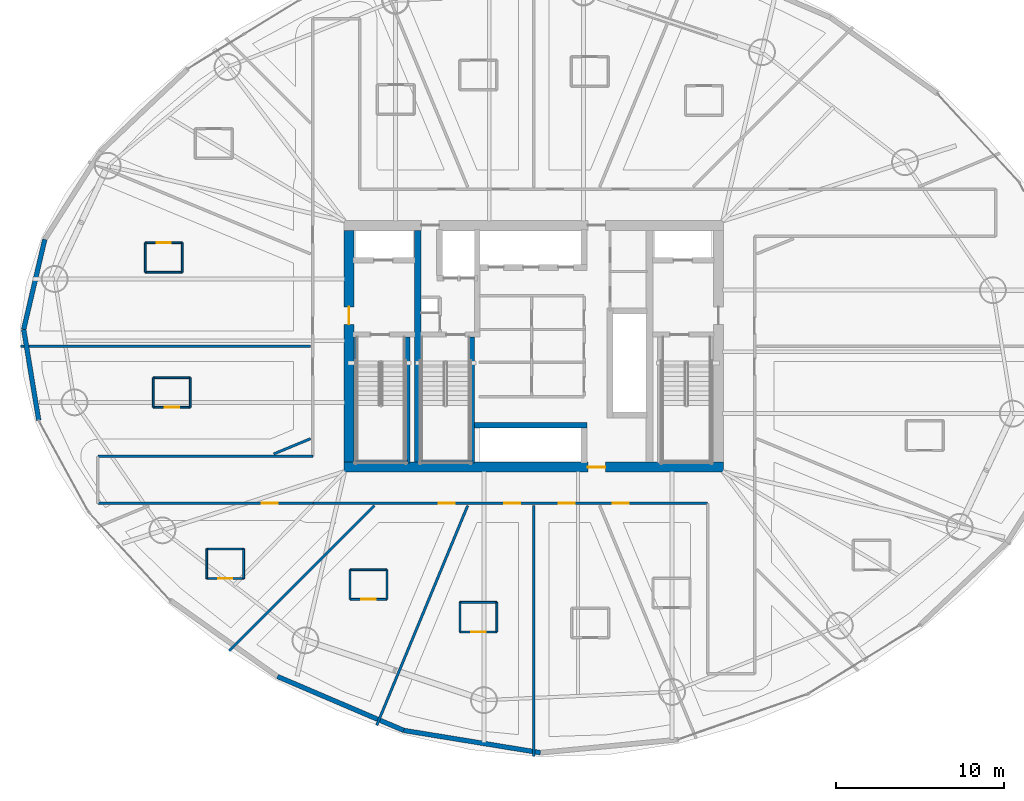
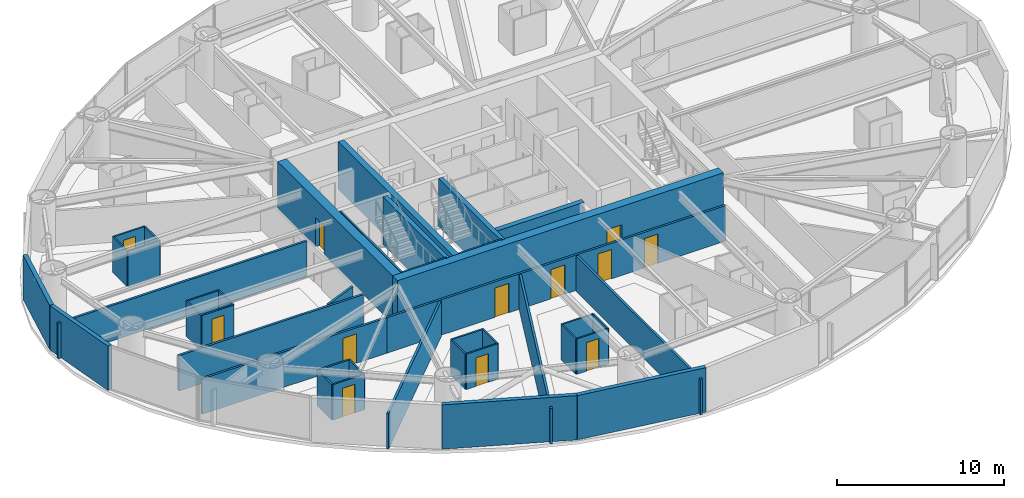
# One storey, part 18 of 27: 41 walls, 12 doors, 12 openings.
"""IFC4 building model written with IfcOpenShell, lengths in metres."""

from ifc_helpers import new_model, si_unit, direction, frame, frame_2d, origin, place, context, subcontext, project, spatial, rectangle, extrude, material, layer, layer_set, type_object, element, fill, save


model = new_model("IFC4")

# Units and contexts
model_context = context("Model", 3, precision=1e-05, world=origin(), true_north=direction((0.0, 1.0)))
body_context = subcontext(model_context, "Body", "Model", "MODEL_VIEW")
ifc_project = project(units=[si_unit("LENGTHUNIT", "METRE"), si_unit("AREAUNIT", "SQUARE_METRE"), si_unit("VOLUMEUNIT", "CUBIC_METRE"), si_unit("PLANEANGLEUNIT", "RADIAN"), si_unit("MASSUNIT", "GRAM", prefix="KILO")], contexts=[model_context])

# Site, building, storey
site_placement = place(None, origin())
site = spatial("IfcSite", under=ifc_project, at=site_placement, CompositionType="ELEMENT")
building_placement = place(site_placement, origin())
building = spatial("IfcBuilding", under=site, at=building_placement, Name="Bramvorn Convention Spire", CompositionType="ELEMENT")
storey_placement = place(building_placement, frame((0.0, 0.0, 44.89990234375)))
storey = spatial("IfcBuildingStorey", under=building, at=storey_placement, Name="L08", CompositionType="ELEMENT", Elevation=44.89990234375)

# Wall, opening, door
ifc_material_1 = material(Name="Concrete C60/70", Category="concrete")
ifc_layer_1 = layer(ifc_material_1, 0.60009765625)
ifc_layer_set_1 = layer_set([ifc_layer_1], Name="Concrete C60/70 - WL-CORE-600")
wall_type_1 = type_object("IfcWallType", Name="WL-CORE-600", PredefinedType="SHEAR", material=ifc_layer_set_1)
wall_1_placement = place(storey_placement, frame((26.699951171875, 18.800048828125, 0.0), z_axis=(0.0, 0.0, 1.0), x_axis=(1.0, 0.0, 0.0)))
wall_1 = element("IfcWall", 1, at=wall_1_placement, inside=storey, type_object=wall_type_1, Name="L08 South RC core shear wall", PredefinedType="SHEAR", context=body_context, shape_type="SweptSolid", body=[
    extrude(rectangle(XDim=22.60009765625, YDim=0.60009765625, at=frame_2d((11.300048828125, 0.0))), origin(), (0.0, 0.0, 1.0), 3.5),
])
opening_1_placement = place(wall_1_placement, frame((14.52001953125, 0.0, 0.0)))
opening_1 = element("IfcOpeningElement", 2, at=opening_1_placement, cuts=wall_1, Name="Opening DL-105", PredefinedType="OPENING", context=body_context, shape_type="SweptSolid", body=[
    extrude(rectangle(XDim=1.050048828125, YDim=2.14990234375, at=frame_2d((0.52490234375, 1.074951171875))), frame((0.0, 0.31005859375, 0.0), z_axis=(0.0, -1.0, 0.0), x_axis=(1.0, 0.0, 0.0)), (0.0, 0.0, 1.0), 0.6201171875),
])
ifc_material_2 = material(Name="Smoke-Sealed Fire Lobby Timber-Core Door", Category="wood")
door_type_1 = type_object("IfcDoorType", Name="DR-LOBBY-1050", OperationType="NOTDEFINED", PredefinedType="DOOR", material=ifc_material_2)
door_1_placement = place(opening_1_placement, origin())
door_1 = element("IfcDoor", 3, at=door_1_placement, inside=storey, type_object=door_type_1, Name="L08 South Lift Lobby fire door", OperationType="SINGLE_SWING_RIGHT", OverallHeight=2.14990234375, OverallWidth=1.050048828125, PredefinedType="DOOR", context=body_context, shape_type="SweptSolid", body=[
    extrude(rectangle(XDim=1.050048828125, YDim=2.14990234375, at=frame_2d((0.52490234375, 1.074951171875))), frame((0.0, 0.02490234375, 0.0), z_axis=(0.0, -1.0, 0.0), x_axis=(1.0, 0.0, 0.0)), (0.0, 0.0, 1.0), 0.050048828125),
])
fill(opening_1, door_1)

wall_2_placement = place(storey_placement, frame((27.0, 19.10009765625, 0.0), z_axis=(0.0, 0.0, 1.0), x_axis=(0.0, 1.0, 0.0)))
wall_2 = element("IfcWall", 4, at=wall_2_placement, inside=storey, type_object=wall_type_1, Name="L08 West RC core shear wall", PredefinedType="SHEAR", context=body_context, shape_type="SweptSolid", body=[
    extrude(rectangle(XDim=13.7998046875, YDim=0.60009765625, at=frame_2d((6.89990234375, 0.0))), origin(), (0.0, 0.0, 1.0), 3.5),
])
opening_2_placement = place(wall_2_placement, frame((8.199951171875, 0.0, 0.0)))
opening_2 = element("IfcOpeningElement", 5, at=opening_2_placement, cuts=wall_2, Name="Opening DL-105", PredefinedType="OPENING", context=body_context, shape_type="SweptSolid", body=[
    extrude(rectangle(XDim=1.050048828125, YDim=2.14990234375, at=frame_2d((0.52490234375, 1.074951171875))), frame((0.0, 0.31005859375, 0.0), z_axis=(0.0, -1.0, 0.0), x_axis=(1.0, 0.0, 0.0)), (0.0, 0.0, 1.0), 0.6201171875),
])
door_2_placement = place(opening_2_placement, origin())
door_2 = element("IfcDoor", 6, at=door_2_placement, inside=storey, type_object=door_type_1, Name="L08 West Firefighting Lobby corridor door", OperationType="SINGLE_SWING_RIGHT", OverallHeight=2.14990234375, OverallWidth=1.050048828125, PredefinedType="DOOR", context=body_context, shape_type="SweptSolid", body=[
    extrude(rectangle(XDim=1.050048828125, YDim=2.14990234375, at=frame_2d((0.52490234375, 1.074951171875))), frame((0.0, 0.02490234375, 0.0), z_axis=(0.0, -1.0, 0.0), x_axis=(1.0, 0.0, 0.0)), (0.0, 0.0, 1.0), 0.050048828125),
])
fill(opening_2, door_2)

# Walls
ifc_material_3 = material(Name="Concrete C50/60", Category="concrete")
ifc_layer_2 = layer(ifc_material_3, 0.35009765625)
ifc_layer_set_2 = layer_set([ifc_layer_2], Name="Concrete C50/60 - WL-CORE-INT-350")
wall_type_2 = type_object("IfcWallType", Name="WL-CORE-INT-350", PredefinedType="SHEAR", material=ifc_layer_set_2)
wall_3_placement = place(storey_placement, frame((34.489990234375, 21.300048828125, 0.0), z_axis=(0.0, 0.0, 1.0), x_axis=(1.0, 0.0, 0.0)))
element("IfcWall", 7, at=wall_3_placement, inside=storey, type_object=wall_type_2, Name="L08 Mid-rise bank north landing wall", PredefinedType="SHEAR", context=body_context, shape_type="SweptSolid", body=[
    extrude(rectangle(XDim=6.679931640625, YDim=0.35009765625, at=frame_2d((3.33984375, 0.0))), origin(), (0.0, 0.0, 1.0), 2.60009765625),
])
ifc_layer_3 = layer(ifc_material_1, 0.39990234375)
ifc_layer_set_3 = layer_set([ifc_layer_3], Name="Concrete C60/70 - WL-CORE-INT-400")
wall_type_3 = type_object("IfcWallType", Name="WL-CORE-INT-400", PredefinedType="SHEAR", material=ifc_layer_set_3)
wall_4_placement = place(storey_placement, frame((31.10009765625, 19.10009765625, 0.0), z_axis=(0.0, 0.0, 1.0), x_axis=(0.0, 1.0, 0.0)))
element("IfcWall", 8, at=wall_4_placement, inside=storey, type_object=wall_type_3, Name="L08 West internal core shear web", PredefinedType="SHEAR", context=body_context, shape_type="SweptSolid", body=[
    extrude(rectangle(XDim=13.7998046875, YDim=0.39990234375, at=frame_2d((6.89990234375, 0.0))), origin(), (0.0, 0.0, 1.0), 3.5),
])
ifc_material_4 = material(Name="Precast Concrete C40/50 with Bronze Terracotta Rainscreen", Category="masonry")
ifc_layer_4 = layer(ifc_material_4, 0.300048828125)
ifc_layer_set_4 = layer_set([ifc_layer_4], Name="Precast Concrete C40/50 with Bronze Terracotta Rainscreen - WL-EXT-BRONZE-300")
wall_type_4 = type_object("IfcWallType", Name="WL-EXT-BRONZE-300", PredefinedType="SOLIDWALL", material=ifc_layer_set_4)
wall_5_placement = place(storey_placement, frame((7.63671875, 27.00732421875, 0.0), z_axis=(0.0, 0.0, 1.0), x_axis=(0.228140672465, 0.973628180348, 0.0)))
element("IfcWall", 9, at=wall_5_placement, inside=storey, type_object=wall_type_4, Name="L08 expressed bronze Gothic lancet pier wall 12", PredefinedType="SOLIDWALL", context=body_context, shape_type="SweptSolid", body=[
    extrude(rectangle(XDim=5.497314453125, YDim=0.280029296875, at=frame_2d((2.74853515625, 0.0))), origin(), (0.0, 0.0, 1.0), 3.25),
])
wall_6_placement = place(storey_placement, frame((8.533447265625, 21.58349609375, 0.0), z_axis=(0.0, 0.0, 1.0), x_axis=(-0.163116967398, 0.986606737736, 0.0)))
element("IfcWall", 10, at=wall_6_placement, inside=storey, type_object=wall_type_4, Name="L08 expressed bronze Gothic lancet pier wall 13", PredefinedType="SOLIDWALL", context=body_context, shape_type="SweptSolid", body=[
    extrude(rectangle(XDim=5.49755859375, YDim=0.280029296875, at=frame_2d((2.748779296875, 0.0))), origin(), (0.0, 0.0, 1.0), 3.25),
])
wall_7_placement = place(storey_placement, frame((30.263916015625, 3.12890625, 0.0), z_axis=(0.0, 0.0, 1.0), x_axis=(-0.919648117611, 0.392743351026, 0.0)))
element("IfcWall", 11, at=wall_7_placement, inside=storey, type_object=wall_type_4, Name="L08 expressed bronze Gothic lancet pier wall 17", PredefinedType="SOLIDWALL", context=body_context, shape_type="SweptSolid", body=[
    extrude(rectangle(XDim=8.170654296875, YDim=0.280029296875, at=frame_2d((4.08544921875, 0.0))), origin(), (0.0, 0.0, 1.0), 3.25),
])
wall_8_placement = place(storey_placement, frame((38.39794921875, 1.802978515625, 0.0), z_axis=(0.0, 0.0, 1.0), x_axis=(-0.986972941374, 0.160886335642, 0.0)))
element("IfcWall", 12, at=wall_8_placement, inside=storey, type_object=wall_type_4, Name="L08 expressed bronze Gothic lancet pier wall 18", PredefinedType="SOLIDWALL", context=body_context, shape_type="SweptSolid", body=[
    extrude(rectangle(XDim=8.241455078125, YDim=0.280029296875, at=frame_2d((4.12060546875, 0.0))), origin(), (0.0, 0.0, 1.0), 3.25),
])
ifc_material_5 = material(Name="Lightweight En-Suite & Wet-Wall Partition", Category="gypsum")
ifc_layer_5 = layer(ifc_material_5, 0.110107421875)
ifc_layer_set_5 = layer_set([ifc_layer_5], Name="Lightweight En-Suite & Wet-Wall Partition - WL-PART-110")
wall_type_5 = type_object("IfcWallType", Name="WL-PART-110", PredefinedType="PARTITIONING", material=ifc_layer_set_5)
wall_9_placement = place(storey_placement, frame((14.873779296875, 30.40283203125, 0.0), z_axis=(0.0, 0.0, 1.0), x_axis=(1.0, 0.0, 0.0)))
element("IfcWall", 13, at=wall_9_placement, inside=storey, type_object=wall_type_5, Name="Hotel Suite 0808 en-suite south wall", PredefinedType="PARTITIONING", context=body_context, shape_type="SweptSolid", body=[
    extrude(rectangle(XDim=2.199951171875, YDim=0.110107421875, at=frame_2d((1.10009765625, 0.0))), origin(), (0.0, 0.0, 1.0), 2.60009765625),
])

# Wall, opening, door
wall_10_placement = place(storey_placement, frame((14.873779296875, 32.162841796875, 0.0), z_axis=(0.0, 0.0, 1.0), x_axis=(1.0, 0.0, 0.0)))
wall_10 = element("IfcWall", 14, at=wall_10_placement, inside=storey, type_object=wall_type_5, Name="Hotel Suite 0808 en-suite north wall", PredefinedType="PARTITIONING", context=body_context, shape_type="SweptSolid", body=[
    extrude(rectangle(XDim=2.199951171875, YDim=0.110107421875, at=frame_2d((1.10009765625, 0.0))), origin(), (0.0, 0.0, 1.0), 2.60009765625),
])
opening_3_placement = place(wall_10_placement, frame((0.679931640625, 0.0, 0.0)))
opening_3 = element("IfcOpeningElement", 15, at=opening_3_placement, cuts=wall_10, Name="Opening DI-085", PredefinedType="OPENING", context=body_context, shape_type="SweptSolid", body=[
    extrude(rectangle(XDim=0.85009765625, YDim=2.10009765625, at=frame_2d((0.425048828125, 1.050048828125))), frame((0.0, 0.06494140625, 0.0), z_axis=(0.0, -1.0, 0.0), x_axis=(1.0, 0.0, 0.0)), (0.0, 0.0, 1.0), 0.130126953125),
])
ifc_material_6 = material(Name="En-Suite & Restroom Privacy Door", Category="wood")
door_type_2 = type_object("IfcDoorType", Name="DR-INT-850", OperationType="NOTDEFINED", PredefinedType="DOOR", material=ifc_material_6)
door_3_placement = place(opening_3_placement, origin())
door_3 = element("IfcDoor", 16, at=door_3_placement, inside=storey, type_object=door_type_2, Name="Hotel Suite 0808 En-Suite Bathroom door", OperationType="SINGLE_SWING_LEFT", OverallHeight=2.10009765625, OverallWidth=0.85009765625, PredefinedType="DOOR", context=body_context, shape_type="SweptSolid", body=[
    extrude(rectangle(XDim=0.85009765625, YDim=2.10009765625, at=frame_2d((0.425048828125, 1.050048828125))), frame((0.0, 0.02490234375, 0.0), z_axis=(0.0, -1.0, 0.0), x_axis=(1.0, 0.0, 0.0)), (0.0, 0.0, 1.0), 0.050048828125),
])
fill(opening_3, door_3)

# Walls
for number, where, z_axis, x_axis, name in (
    (17, (14.873779296875, 30.40283203125, 0.0), (0.0, 0.0, 1.0), (0.0, 1.0, 0.0), "Hotel Suite 0808 en-suite west wall"),
    (18, (17.07373046875, 30.40283203125, 0.0), (0.0, 0.0, 1.0), (0.0, 1.0, 0.0), "Hotel Suite 0808 en-suite east wall"),
):
    element("IfcWall", number, at=place(storey_placement, frame(where, z_axis=z_axis, x_axis=x_axis)), inside=storey, type_object=wall_type_5, Name=name, PredefinedType="PARTITIONING", context=body_context, shape_type="SweptSolid", body=[
        extrude(rectangle(XDim=1.760009765625, YDim=0.110107421875, at=frame_2d((0.8798828125, 0.0))), origin(), (0.0, 0.0, 1.0), 2.60009765625),
    ])

# Wall, opening, door
wall_11_placement = place(storey_placement, frame((15.353515625, 22.368896484375, 0.0), z_axis=(0.0, 0.0, 1.0), x_axis=(1.0, 0.0, 0.0)))
wall_11 = element("IfcWall", 19, at=wall_11_placement, inside=storey, type_object=wall_type_5, Name="Hotel Suite 0809 en-suite south wall", PredefinedType="PARTITIONING", context=body_context, shape_type="SweptSolid", body=[
    extrude(rectangle(XDim=2.199951171875, YDim=0.110107421875, at=frame_2d((1.10009765625, 0.0))), origin(), (0.0, 0.0, 1.0), 2.60009765625),
])
opening_4_placement = place(wall_11_placement, frame((0.679931640625, 0.0, 0.0)))
opening_4 = element("IfcOpeningElement", 20, at=opening_4_placement, cuts=wall_11, Name="Opening DI-085", PredefinedType="OPENING", context=body_context, shape_type="SweptSolid", body=[
    extrude(rectangle(XDim=0.85009765625, YDim=2.10009765625, at=frame_2d((0.425048828125, 1.050048828125))), frame((0.0, 0.06494140625, 0.0), z_axis=(0.0, -1.0, 0.0), x_axis=(1.0, 0.0, 0.0)), (0.0, 0.0, 1.0), 0.130126953125),
])
door_4_placement = place(opening_4_placement, origin())
door_4 = element("IfcDoor", 21, at=door_4_placement, inside=storey, type_object=door_type_2, Name="Hotel Suite 0809 En-Suite Bathroom door", OperationType="SINGLE_SWING_LEFT", OverallHeight=2.10009765625, OverallWidth=0.85009765625, PredefinedType="DOOR", context=body_context, shape_type="SweptSolid", body=[
    extrude(rectangle(XDim=0.85009765625, YDim=2.10009765625, at=frame_2d((0.425048828125, 1.050048828125))), frame((0.0, 0.02490234375, 0.0), z_axis=(0.0, -1.0, 0.0), x_axis=(1.0, 0.0, 0.0)), (0.0, 0.0, 1.0), 0.050048828125),
])
fill(opening_4, door_4)

# Walls
wall_12_placement = place(storey_placement, frame((15.353515625, 24.12890625, 0.0), z_axis=(0.0, 0.0, 1.0), x_axis=(1.0, 0.0, 0.0)))
element("IfcWall", 22, at=wall_12_placement, inside=storey, type_object=wall_type_5, Name="Hotel Suite 0809 en-suite north wall", PredefinedType="PARTITIONING", context=body_context, shape_type="SweptSolid", body=[
    extrude(rectangle(XDim=2.199951171875, YDim=0.110107421875, at=frame_2d((1.10009765625, 0.0))), origin(), (0.0, 0.0, 1.0), 2.60009765625),
])
for number, where, z_axis, x_axis, name in (
    (23, (15.353515625, 22.368896484375, 0.0), (0.0, 0.0, 1.0), (0.0, 1.0, 0.0), "Hotel Suite 0809 en-suite west wall"),
    (24, (17.553466796875, 22.368896484375, 0.0), (0.0, 0.0, 1.0), (0.0, 1.0, 0.0), "Hotel Suite 0809 en-suite east wall"),
):
    element("IfcWall", number, at=place(storey_placement, frame(where, z_axis=z_axis, x_axis=x_axis)), inside=storey, type_object=wall_type_5, Name=name, PredefinedType="PARTITIONING", context=body_context, shape_type="SweptSolid", body=[
        extrude(rectangle(XDim=1.760009765625, YDim=0.110107421875, at=frame_2d((0.8798828125, 0.0))), origin(), (0.0, 0.0, 1.0), 2.60009765625),
    ])

# Wall, opening, door
wall_13_placement = place(storey_placement, frame((18.53125, 12.173583984375, 0.0), z_axis=(0.0, 0.0, 1.0), x_axis=(1.0, 0.0, 0.0)))
wall_13 = element("IfcWall", 25, at=wall_13_placement, inside=storey, type_object=wall_type_5, Name="Hotel Suite 0810 en-suite south wall", PredefinedType="PARTITIONING", context=body_context, shape_type="SweptSolid", body=[
    extrude(rectangle(XDim=2.199951171875, YDim=0.110107421875, at=frame_2d((1.10009765625, 0.0))), origin(), (0.0, 0.0, 1.0), 2.60009765625),
])
opening_5_placement = place(wall_13_placement, frame((0.679931640625, 0.0, 0.0)))
opening_5 = element("IfcOpeningElement", 26, at=opening_5_placement, cuts=wall_13, Name="Opening DI-085", PredefinedType="OPENING", context=body_context, shape_type="SweptSolid", body=[
    extrude(rectangle(XDim=0.85009765625, YDim=2.10009765625, at=frame_2d((0.425048828125, 1.050048828125))), frame((0.0, 0.06494140625, 0.0), z_axis=(0.0, -1.0, 0.0), x_axis=(1.0, 0.0, 0.0)), (0.0, 0.0, 1.0), 0.130126953125),
])
door_5_placement = place(opening_5_placement, origin())
door_5 = element("IfcDoor", 27, at=door_5_placement, inside=storey, type_object=door_type_2, Name="Hotel Suite 0810 En-Suite Bathroom door", OperationType="SINGLE_SWING_LEFT", OverallHeight=2.10009765625, OverallWidth=0.85009765625, PredefinedType="DOOR", context=body_context, shape_type="SweptSolid", body=[
    extrude(rectangle(XDim=0.85009765625, YDim=2.10009765625, at=frame_2d((0.425048828125, 1.050048828125))), frame((0.0, 0.02490234375, 0.0), z_axis=(0.0, -1.0, 0.0), x_axis=(1.0, 0.0, 0.0)), (0.0, 0.0, 1.0), 0.050048828125),
])
fill(opening_5, door_5)

# Walls
wall_14_placement = place(storey_placement, frame((18.53125, 13.93359375, 0.0), z_axis=(0.0, 0.0, 1.0), x_axis=(1.0, 0.0, 0.0)))
element("IfcWall", 28, at=wall_14_placement, inside=storey, type_object=wall_type_5, Name="Hotel Suite 0810 en-suite north wall", PredefinedType="PARTITIONING", context=body_context, shape_type="SweptSolid", body=[
    extrude(rectangle(XDim=2.199951171875, YDim=0.110107421875, at=frame_2d((1.10009765625, 0.0))), origin(), (0.0, 0.0, 1.0), 2.60009765625),
])
for number, where, z_axis, x_axis, name in (
    (29, (18.53125, 12.173583984375, 0.0), (0.0, 0.0, 1.0), (0.0, 1.0, 0.0), "Hotel Suite 0810 en-suite west wall"),
    (30, (20.731201171875, 12.173583984375, 0.0), (0.0, 0.0, 1.0), (0.0, 1.0, 0.0), "Hotel Suite 0810 en-suite east wall"),
):
    element("IfcWall", number, at=place(storey_placement, frame(where, z_axis=z_axis, x_axis=x_axis)), inside=storey, type_object=wall_type_5, Name=name, PredefinedType="PARTITIONING", context=body_context, shape_type="SweptSolid", body=[
        extrude(rectangle(XDim=1.760009765625, YDim=0.110107421875, at=frame_2d((0.8798828125, 0.0))), origin(), (0.0, 0.0, 1.0), 2.60009765625),
    ])

# Wall, opening, door
wall_15_placement = place(storey_placement, frame((27.066650390625, 10.931884765625, 0.0), z_axis=(0.0, 0.0, 1.0), x_axis=(1.0, 0.0, 0.0)))
wall_15 = element("IfcWall", 31, at=wall_15_placement, inside=storey, type_object=wall_type_5, Name="Hotel Suite 0811 en-suite south wall", PredefinedType="PARTITIONING", context=body_context, shape_type="SweptSolid", body=[
    extrude(rectangle(XDim=2.199951171875, YDim=0.110107421875, at=frame_2d((1.10009765625, 0.0))), origin(), (0.0, 0.0, 1.0), 2.60009765625),
])
opening_6_placement = place(wall_15_placement, frame((0.679931640625, 0.0, 0.0)))
opening_6 = element("IfcOpeningElement", 32, at=opening_6_placement, cuts=wall_15, Name="Opening DI-085", PredefinedType="OPENING", context=body_context, shape_type="SweptSolid", body=[
    extrude(rectangle(XDim=0.85009765625, YDim=2.10009765625, at=frame_2d((0.425048828125, 1.050048828125))), frame((0.0, 0.06494140625, 0.0), z_axis=(0.0, -1.0, 0.0), x_axis=(1.0, 0.0, 0.0)), (0.0, 0.0, 1.0), 0.130126953125),
])
door_6_placement = place(opening_6_placement, origin())
door_6 = element("IfcDoor", 33, at=door_6_placement, inside=storey, type_object=door_type_2, Name="Hotel Suite 0811 En-Suite Bathroom door", OperationType="SINGLE_SWING_LEFT", OverallHeight=2.10009765625, OverallWidth=0.85009765625, PredefinedType="DOOR", context=body_context, shape_type="SweptSolid", body=[
    extrude(rectangle(XDim=0.85009765625, YDim=2.10009765625, at=frame_2d((0.425048828125, 1.050048828125))), frame((0.0, 0.02490234375, 0.0), z_axis=(0.0, -1.0, 0.0), x_axis=(1.0, 0.0, 0.0)), (0.0, 0.0, 1.0), 0.050048828125),
])
fill(opening_6, door_6)

# Walls
wall_16_placement = place(storey_placement, frame((27.066650390625, 12.69189453125, 0.0), z_axis=(0.0, 0.0, 1.0), x_axis=(1.0, 0.0, 0.0)))
element("IfcWall", 34, at=wall_16_placement, inside=storey, type_object=wall_type_5, Name="Hotel Suite 0811 en-suite north wall", PredefinedType="PARTITIONING", context=body_context, shape_type="SweptSolid", body=[
    extrude(rectangle(XDim=2.199951171875, YDim=0.110107421875, at=frame_2d((1.10009765625, 0.0))), origin(), (0.0, 0.0, 1.0), 2.60009765625),
])
for number, where, z_axis, x_axis, name in (
    (35, (27.066650390625, 10.931884765625, 0.0), (0.0, 0.0, 1.0), (0.0, 1.0, 0.0), "Hotel Suite 0811 en-suite west wall"),
    (36, (29.2666015625, 10.931884765625, 0.0), (0.0, 0.0, 1.0), (0.0, 1.0, 0.0), "Hotel Suite 0811 en-suite east wall"),
):
    element("IfcWall", number, at=place(storey_placement, frame(where, z_axis=z_axis, x_axis=x_axis)), inside=storey, type_object=wall_type_5, Name=name, PredefinedType="PARTITIONING", context=body_context, shape_type="SweptSolid", body=[
        extrude(rectangle(XDim=1.760009765625, YDim=0.110107421875, at=frame_2d((0.8798828125, 0.0))), origin(), (0.0, 0.0, 1.0), 2.60009765625),
    ])

# Wall, opening, door
wall_17_placement = place(storey_placement, frame((33.609375, 8.992919921875, 0.0), z_axis=(0.0, 0.0, 1.0), x_axis=(1.0, 0.0, 0.0)))
wall_17 = element("IfcWall", 37, at=wall_17_placement, inside=storey, type_object=wall_type_5, Name="Hotel Suite 0812 en-suite south wall", PredefinedType="PARTITIONING", context=body_context, shape_type="SweptSolid", body=[
    extrude(rectangle(XDim=2.199951171875, YDim=0.110107421875, at=frame_2d((1.10009765625, 0.0))), origin(), (0.0, 0.0, 1.0), 2.60009765625),
])
opening_7_placement = place(wall_17_placement, frame((0.679931640625, 0.0, 0.0)))
opening_7 = element("IfcOpeningElement", 38, at=opening_7_placement, cuts=wall_17, Name="Opening DI-085", PredefinedType="OPENING", context=body_context, shape_type="SweptSolid", body=[
    extrude(rectangle(XDim=0.85009765625, YDim=2.10009765625, at=frame_2d((0.425048828125, 1.050048828125))), frame((0.0, 0.06494140625, 0.0), z_axis=(0.0, -1.0, 0.0), x_axis=(1.0, 0.0, 0.0)), (0.0, 0.0, 1.0), 0.130126953125),
])
door_7_placement = place(opening_7_placement, origin())
door_7 = element("IfcDoor", 39, at=door_7_placement, inside=storey, type_object=door_type_2, Name="Hotel Suite 0812 En-Suite Bathroom door", OperationType="SINGLE_SWING_LEFT", OverallHeight=2.10009765625, OverallWidth=0.85009765625, PredefinedType="DOOR", context=body_context, shape_type="SweptSolid", body=[
    extrude(rectangle(XDim=0.85009765625, YDim=2.10009765625, at=frame_2d((0.425048828125, 1.050048828125))), frame((0.0, 0.02490234375, 0.0), z_axis=(0.0, -1.0, 0.0), x_axis=(1.0, 0.0, 0.0)), (0.0, 0.0, 1.0), 0.050048828125),
])
fill(opening_7, door_7)

# Walls
wall_18_placement = place(storey_placement, frame((33.609375, 10.7529296875, 0.0), z_axis=(0.0, 0.0, 1.0), x_axis=(1.0, 0.0, 0.0)))
element("IfcWall", 40, at=wall_18_placement, inside=storey, type_object=wall_type_5, Name="Hotel Suite 0812 en-suite north wall", PredefinedType="PARTITIONING", context=body_context, shape_type="SweptSolid", body=[
    extrude(rectangle(XDim=2.199951171875, YDim=0.110107421875, at=frame_2d((1.10009765625, 0.0))), origin(), (0.0, 0.0, 1.0), 2.60009765625),
])
for number, where, z_axis, x_axis, name in (
    (41, (33.609375, 8.992919921875, 0.0), (0.0, 0.0, 1.0), (0.0, 1.0, 0.0), "Hotel Suite 0812 en-suite west wall"),
    (42, (35.809326171875, 8.992919921875, 0.0), (0.0, 0.0, 1.0), (0.0, 1.0, 0.0), "Hotel Suite 0812 en-suite east wall"),
):
    element("IfcWall", number, at=place(storey_placement, frame(where, z_axis=z_axis, x_axis=x_axis)), inside=storey, type_object=wall_type_5, Name=name, PredefinedType="PARTITIONING", context=body_context, shape_type="SweptSolid", body=[
        extrude(rectangle(XDim=1.760009765625, YDim=0.110107421875, at=frame_2d((0.8798828125, 0.0))), origin(), (0.0, 0.0, 1.0), 2.60009765625),
    ])

# Wall, openings, doors
ifc_material_7 = material(Name="Acoustic Metal-Stud Tenant/Corridor Partition", Category="gypsum")
ifc_layer_6 = layer(ifc_material_7, 0.14990234375)
ifc_layer_set_6 = layer_set([ifc_layer_6], Name="Acoustic Metal-Stud Tenant/Corridor Partition - WL-PART-150")
wall_type_6 = type_object("IfcWallType", Name="WL-PART-150", PredefinedType="PARTITIONING", material=ifc_layer_set_6)
wall_19_placement = place(storey_placement, frame((24.85009765625, 16.64990234375, 0.0), z_axis=(0.0, 0.0, 1.0), x_axis=(1.0, 0.0, 0.0)))
wall_19 = element("IfcWall", 43, at=wall_19_placement, inside=storey, type_object=wall_type_6, Name="L08 South ring corridor wall", PredefinedType="PARTITIONING", context=body_context, shape_type="SweptSolid", body=[
    extrude(rectangle(XDim=23.5, YDim=0.14990234375, at=frame_2d((11.75, 0.0))), origin(), (0.0, 0.0, 1.0), 2.60009765625),
])
opening_8_placement = place(wall_19_placement, frame((7.5048828125, 0.0, 0.0)))
opening_8 = element("IfcOpeningElement", 44, at=opening_8_placement, cuts=wall_19, Name="Opening DH-095", PredefinedType="OPENING", context=body_context, shape_type="SweptSolid", body=[
    extrude(rectangle(XDim=0.949951171875, YDim=2.14990234375, at=frame_2d((0.47509765625, 1.074951171875))), frame((0.0, 0.0849609375, 0.0), z_axis=(0.0, -1.0, 0.0), x_axis=(1.0, 0.0, 0.0)), (0.0, 0.0, 1.0), 0.169921875),
])
opening_9_placement = place(wall_19_placement, frame((11.39111328125, 0.0, 0.0)))
opening_9 = element("IfcOpeningElement", 45, at=opening_9_placement, cuts=wall_19, Name="Opening DH-095", PredefinedType="OPENING", context=body_context, shape_type="SweptSolid", body=[
    extrude(rectangle(XDim=0.949951171875, YDim=2.14990234375, at=frame_2d((0.47509765625, 1.074951171875))), frame((0.0, 0.0849609375, 0.0), z_axis=(0.0, -1.0, 0.0), x_axis=(1.0, 0.0, 0.0)), (0.0, 0.0, 1.0), 0.169921875),
])
opening_10_placement = place(wall_19_placement, frame((14.636474609375, 0.0, 0.0)))
opening_10 = element("IfcOpeningElement", 46, at=opening_10_placement, cuts=wall_19, Name="Opening DH-095", PredefinedType="OPENING", context=body_context, shape_type="SweptSolid", body=[
    extrude(rectangle(XDim=0.949951171875, YDim=2.14990234375, at=frame_2d((0.47509765625, 1.074951171875))), frame((0.0, 0.0849609375, 0.0), z_axis=(0.0, -1.0, 0.0), x_axis=(1.0, 0.0, 0.0)), (0.0, 0.0, 1.0), 0.169921875),
])
opening_11_placement = place(wall_19_placement, frame((17.84521484375, 0.0, 0.0)))
opening_11 = element("IfcOpeningElement", 47, at=opening_11_placement, cuts=wall_19, Name="Opening DH-095", PredefinedType="OPENING", context=body_context, shape_type="SweptSolid", body=[
    extrude(rectangle(XDim=0.949951171875, YDim=2.14990234375, at=frame_2d((0.47509765625, 1.074951171875))), frame((0.0, 0.0849609375, 0.0), z_axis=(0.0, -1.0, 0.0), x_axis=(1.0, 0.0, 0.0)), (0.0, 0.0, 1.0), 0.169921875),
])
ifc_material_8 = material(Name="Solid-Core Acoustic Guestroom Entry Door", Category="wood")
door_type_3 = type_object("IfcDoorType", Name="DR-HOTEL-950", OperationType="NOTDEFINED", PredefinedType="DOOR", material=ifc_material_8)
door_8_placement = place(opening_8_placement, origin())
door_8 = element("IfcDoor", 48, at=door_8_placement, inside=storey, type_object=door_type_3, Name="Hotel Suite 0811 entry door", OperationType="SINGLE_SWING_RIGHT", OverallHeight=2.14990234375, OverallWidth=0.949951171875, PredefinedType="DOOR", context=body_context, shape_type="SweptSolid", body=[
    extrude(rectangle(XDim=0.949951171875, YDim=2.14990234375, at=frame_2d((0.47509765625, 1.074951171875))), frame((0.0, 0.02490234375, 0.0), z_axis=(0.0, -1.0, 0.0), x_axis=(1.0, 0.0, 0.0)), (0.0, 0.0, 1.0), 0.050048828125),
])
fill(opening_8, door_8)
door_9_placement = place(opening_9_placement, origin())
door_9 = element("IfcDoor", 49, at=door_9_placement, inside=storey, type_object=door_type_3, Name="Hotel Suite 0812 entry door", OperationType="SINGLE_SWING_RIGHT", OverallHeight=2.14990234375, OverallWidth=0.949951171875, PredefinedType="DOOR", context=body_context, shape_type="SweptSolid", body=[
    extrude(rectangle(XDim=0.949951171875, YDim=2.14990234375, at=frame_2d((0.47509765625, 1.074951171875))), frame((0.0, 0.02490234375, 0.0), z_axis=(0.0, -1.0, 0.0), x_axis=(1.0, 0.0, 0.0)), (0.0, 0.0, 1.0), 0.050048828125),
])
fill(opening_9, door_9)
door_10_placement = place(opening_10_placement, origin())
door_10 = element("IfcDoor", 50, at=door_10_placement, inside=storey, type_object=door_type_3, Name="Hotel Suite 0813 entry door", OperationType="SINGLE_SWING_RIGHT", OverallHeight=2.14990234375, OverallWidth=0.949951171875, PredefinedType="DOOR", context=body_context, shape_type="SweptSolid", body=[
    extrude(rectangle(XDim=0.949951171875, YDim=2.14990234375, at=frame_2d((0.47509765625, 1.074951171875))), frame((0.0, 0.02490234375, 0.0), z_axis=(0.0, -1.0, 0.0), x_axis=(1.0, 0.0, 0.0)), (0.0, 0.0, 1.0), 0.050048828125),
])
fill(opening_10, door_10)
door_11_placement = place(opening_11_placement, origin())
door_11 = element("IfcDoor", 51, at=door_11_placement, inside=storey, type_object=door_type_3, Name="Hotel Suite 0814 entry door", OperationType="SINGLE_SWING_RIGHT", OverallHeight=2.14990234375, OverallWidth=0.949951171875, PredefinedType="DOOR", context=body_context, shape_type="SweptSolid", body=[
    extrude(rectangle(XDim=0.949951171875, YDim=2.14990234375, at=frame_2d((0.47509765625, 1.074951171875))), frame((0.0, 0.02490234375, 0.0), z_axis=(0.0, -1.0, 0.0), x_axis=(1.0, 0.0, 0.0)), (0.0, 0.0, 1.0), 0.050048828125),
])
fill(opening_11, door_11)

# Wall
wall_20_placement = place(storey_placement, frame((12.0458984375, 19.449951171875, 0.0), z_axis=(0.0, 0.0, 1.0), x_axis=(1.0, 0.0, 0.0)))
element("IfcWall", 52, at=wall_20_placement, inside=storey, type_object=wall_type_6, Name="L08 SW pinwheel wing north wall", PredefinedType="PARTITIONING", context=body_context, shape_type="SweptSolid", body=[
    extrude(rectangle(XDim=12.80419921875, YDim=0.14990234375, at=frame_2d((6.402099609375, 0.0))), origin(), (0.0, 0.0, 1.0), 2.60009765625),
])

# Wall, opening, door
wall_21_placement = place(storey_placement, frame((12.0458984375, 16.64990234375, 0.0), z_axis=(0.0, 0.0, 1.0), x_axis=(1.0, 0.0, 0.0)))
wall_21 = element("IfcWall", 53, at=wall_21_placement, inside=storey, type_object=wall_type_6, Name="L08 SW pinwheel wing south wall", PredefinedType="PARTITIONING", context=body_context, shape_type="SweptSolid", body=[
    extrude(rectangle(XDim=12.80419921875, YDim=0.14990234375, at=frame_2d((6.402099609375, 0.0))), origin(), (0.0, 0.0, 1.0), 2.60009765625),
])
opening_12_placement = place(wall_21_placement, frame((9.764404296875, 0.0, 0.0)))
opening_12 = element("IfcOpeningElement", 54, at=opening_12_placement, cuts=wall_21, Name="Opening DH-095", PredefinedType="OPENING", context=body_context, shape_type="SweptSolid", body=[
    extrude(rectangle(XDim=0.949951171875, YDim=2.14990234375, at=frame_2d((0.47509765625, 1.074951171875))), frame((0.0, 0.0849609375, 0.0), z_axis=(0.0, -1.0, 0.0), x_axis=(1.0, 0.0, 0.0)), (0.0, 0.0, 1.0), 0.169921875),
])
door_12_placement = place(opening_12_placement, origin())
door_12 = element("IfcDoor", 55, at=door_12_placement, inside=storey, type_object=door_type_3, Name="Hotel Suite 0810 entry door", OperationType="SINGLE_SWING_LEFT", OverallHeight=2.14990234375, OverallWidth=0.949951171875, PredefinedType="DOOR", context=body_context, shape_type="SweptSolid", body=[
    extrude(rectangle(XDim=0.949951171875, YDim=2.14990234375, at=frame_2d((0.47509765625, 1.074951171875))), frame((0.0, 0.02490234375, 0.0), z_axis=(0.0, -1.0, 0.0), x_axis=(1.0, 0.0, 0.0)), (0.0, 0.0, 1.0), 0.050048828125),
])
fill(opening_12, door_12)

# Walls
wall_22_placement = place(storey_placement, frame((24.7099609375, 26.0, 0.0), z_axis=(0.0, 0.0, 1.0), x_axis=(-1.0, 0.0, 0.0)))
element("IfcWall", 56, at=wall_22_placement, inside=storey, type_object=wall_type_6, Name="L08 Guestroom demising wall 9", PredefinedType="PARTITIONING", context=body_context, shape_type="SweptSolid", body=[
    extrude(rectangle(XDim=17.255615234375, YDim=0.14990234375, at=frame_2d((8.6279296875, 0.0))), origin(), (0.0, 0.0, 1.0), 2.60009765625),
])
wall_23_placement = place(storey_placement, frame((24.7099609375, 20.4951171875, 0.0), z_axis=(0.0, 0.0, 1.0), x_axis=(-0.923887247067, -0.382664807249, 0.0)))
element("IfcWall", 57, at=wall_23_placement, inside=storey, type_object=wall_type_6, Name="L08 Guestroom demising wall 10", PredefinedType="PARTITIONING", context=body_context, shape_type="SweptSolid", body=[
    extrude(rectangle(XDim=2.364990234375, YDim=0.14990234375, at=frame_2d((1.1826171875, 0.0))), origin(), (0.0, 0.0, 1.0), 2.60009765625),
])
wall_24_placement = place(storey_placement, frame((28.510009765625, 16.510009765625, 0.0), z_axis=(0.0, 0.0, 1.0), x_axis=(-0.707106781187, -0.707106781187, 0.0)))
element("IfcWall", 58, at=wall_24_placement, inside=storey, type_object=wall_type_6, Name="L08 Guestroom demising wall 11", PredefinedType="PARTITIONING", context=body_context, shape_type="SweptSolid", body=[
    extrude(rectangle(XDim=12.214599609375, YDim=0.14990234375, at=frame_2d((6.107421875, 0.0))), origin(), (0.0, 0.0, 1.0), 2.60009765625),
])
wall_25_placement = place(storey_placement, frame((34.069091796875, 16.510009765625, 0.0), z_axis=(0.0, 0.0, 1.0), x_axis=(-0.382679767611, -0.923881050494, 0.0)))
element("IfcWall", 59, at=wall_25_placement, inside=storey, type_object=wall_type_6, Name="L08 Guestroom demising wall 12", PredefinedType="PARTITIONING", context=body_context, shape_type="SweptSolid", body=[
    extrude(rectangle(XDim=14.15673828125, YDim=0.14990234375, at=frame_2d((7.078369140625, 0.0))), origin(), (0.0, 0.0, 1.0), 2.60009765625),
])
wall_26_placement = place(storey_placement, frame((38.0, 16.510009765625, 0.0), z_axis=(0.0, 0.0, 1.0), x_axis=(0.0, -1.0, 0.0)))
element("IfcWall", 60, at=wall_26_placement, inside=storey, type_object=wall_type_6, Name="L08 Guestroom demising wall 13", PredefinedType="PARTITIONING", context=body_context, shape_type="SweptSolid", body=[
    extrude(rectangle(XDim=14.9384765625, YDim=0.14990234375, at=frame_2d((7.46923828125, 0.0))), origin(), (0.0, 0.0, 1.0), 2.60009765625),
])
ifc_layer_7 = layer(ifc_material_3, 0.300048828125)
ifc_layer_set_7 = layer_set([ifc_layer_7], Name="Concrete C50/60 - WL-POD-STAIR-300")
wall_type_7 = type_object("IfcWallType", Name="WL-POD-STAIR-300", PredefinedType="SHEAR", material=ifc_layer_set_7)
for number, where, z_axis, x_axis, name in (
    (61, (30.489990234375, 19.050048828125, 0.0), (0.0, 0.0, 1.0), (0.0, 1.0, 0.0), "L08 ST1 east bearing wall"),
    (62, (34.340087890625, 19.050048828125, 0.0), (0.0, 0.0, 1.0), (0.0, 1.0, 0.0), "L08 ST3 east bearing wall"),
):
    element("IfcWall", number, at=place(storey_placement, frame(where, z_axis=z_axis, x_axis=x_axis)), inside=storey, type_object=wall_type_7, Name=name, PredefinedType="SHEAR", context=body_context, shape_type="SweptSolid", body=[
        extrude(rectangle(XDim=7.5, YDim=0.300048828125, at=frame_2d((3.75, 0.0))), origin(), (0.0, 0.0, 1.0), 3.5),
    ])
ifc_layer_8 = layer(ifc_material_3, 0.1201171875)
ifc_layer_set_8 = layer_set([ifc_layer_8], Name="Concrete C50/60 - WL-STAIR-RC-120")
wall_type_8 = type_object("IfcWallType", Name="WL-STAIR-RC-120", PredefinedType="SHEAR", material=ifc_layer_set_8)
wall_27_placement = place(storey_placement, frame((27.39501953125, 19.10009765625, 0.0), z_axis=(0.0, 0.0, 1.0), x_axis=(0.0, 1.0, 0.0)))
element("IfcWall", 63, at=wall_27_placement, inside=storey, type_object=wall_type_8, Name="L08 ST1 west bearing shear wall", PredefinedType="SHEAR", context=body_context, shape_type="SweptSolid", body=[
    extrude(rectangle(XDim=7.449951171875, YDim=0.1201171875, at=frame_2d((3.72509765625, 0.0))), origin(), (0.0, 0.0, 1.0), 3.5),
])
wall_28_placement = place(storey_placement, frame((27.39501953125, 19.159912109375, 0.0), z_axis=(0.0, 0.0, 1.0), x_axis=(1.0, 0.0, 0.0)))
element("IfcWall", 64, at=wall_28_placement, inside=storey, type_object=wall_type_8, Name="L08 ST1 south bearing shear wall", PredefinedType="SHEAR", context=body_context, shape_type="SweptSolid", body=[
    extrude(rectangle(XDim=3.094970703125, YDim=0.1201171875, at=frame_2d((1.54736328125, 0.0))), origin(), (0.0, 0.0, 1.0), 3.5),
])
wall_29_placement = place(storey_placement, frame((31.300048828125, 19.159912109375, 0.0), z_axis=(0.0, 0.0, 1.0), x_axis=(1.0, 0.0, 0.0)))
element("IfcWall", 65, at=wall_29_placement, inside=storey, type_object=wall_type_8, Name="L08 ST3 south bearing shear wall", PredefinedType="SHEAR", context=body_context, shape_type="SweptSolid", body=[
    extrude(rectangle(XDim=3.0400390625, YDim=0.1201171875, at=frame_2d((1.52001953125, 0.0))), origin(), (0.0, 0.0, 1.0), 3.5),
])

save(model, "model.ifc")
